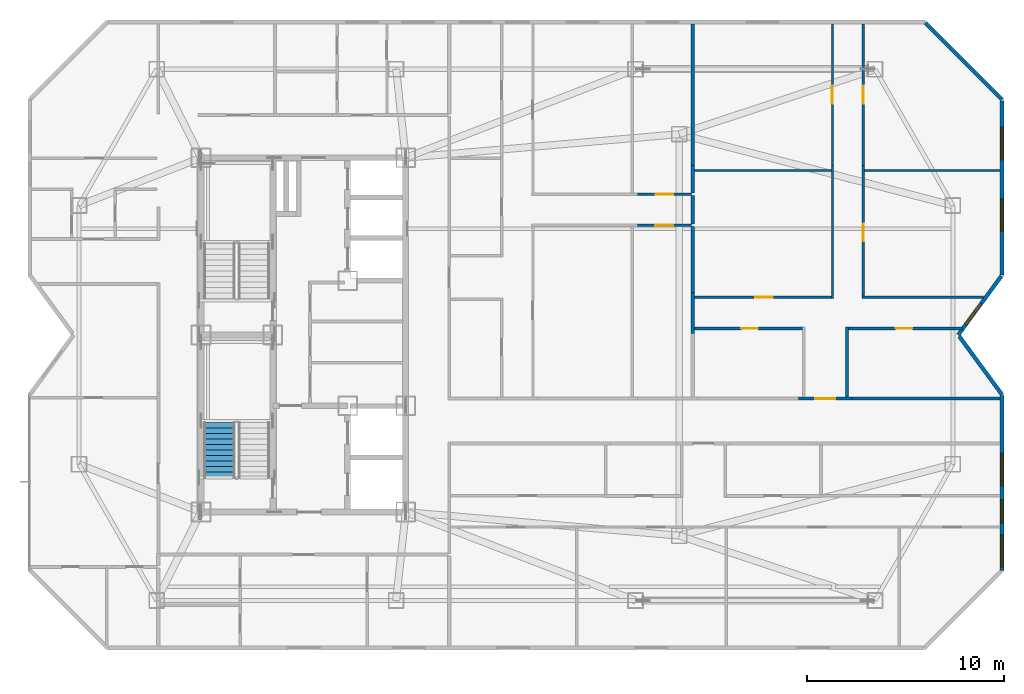
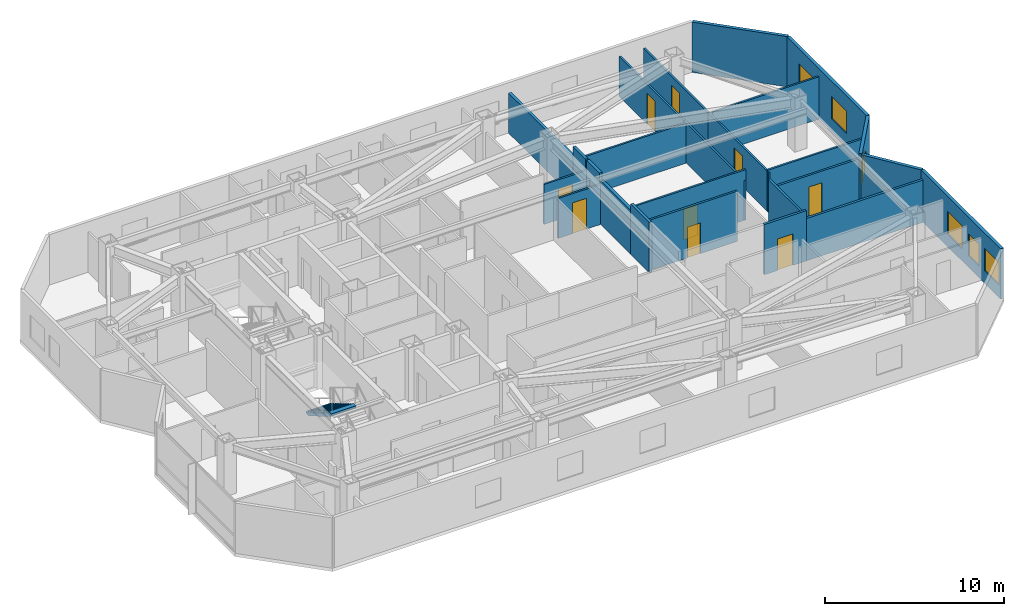
# One storey, part 12 of 14: 25 walls, 9 doors, 6 windows, 1 stair flight, 15 openings, 1 element without a shape of its own.
"""IFC4 building model written with IfcOpenShell, lengths in metres."""

from ifc_helpers import new_model, si_unit, direction, frame, frame_2d, origin, place, context, subcontext, project, spatial, polyline, rectangle, outline, extrude, material, layer, layer_set, type_object, element, fill, aggregate, save


model = new_model("IFC4")

# Units and contexts
model_context = context("Model", 3, precision=1e-05, world=origin(), true_north=direction((0.0, 1.0)))
body_context = subcontext(model_context, "Body", "Model", "MODEL_VIEW")
ifc_project = project(units=[si_unit("LENGTHUNIT", "METRE"), si_unit("AREAUNIT", "SQUARE_METRE"), si_unit("VOLUMEUNIT", "CUBIC_METRE"), si_unit("PLANEANGLEUNIT", "RADIAN"), si_unit("MASSUNIT", "GRAM", prefix="KILO")], contexts=[model_context])

# Site, building, storey
site_placement = place(None, origin())
site = spatial("IfcSite", under=ifc_project, at=site_placement, CompositionType="ELEMENT")
building_placement = place(site_placement, origin())
building = spatial("IfcBuilding", under=site, at=building_placement, Name="Khamvora Tower", CompositionType="ELEMENT")
storey_placement = place(building_placement, frame((0.0, 0.0, 253.699951171875)))
storey = spatial("IfcBuildingStorey", under=building, at=storey_placement, Name="L65", CompositionType="ELEMENT", Elevation=253.699951171875)

# Wall, opening, door
ifc_material_1 = material(Name="Fire-Rated Drywall and Steel Stud", Category="steel")
ifc_layer_1 = layer(ifc_material_1, 0.14990234375)
ifc_layer_set_1 = layer_set([ifc_layer_1], Name="Fire-Rated Drywall and Steel Stud")
wall_type_1 = type_object("IfcWallType", Name="WAL-CORR-150", PredefinedType="STANDARD", material=ifc_layer_set_1)
wall_1_placement = place(storey_placement, frame((59.37109375, 24.764892578125, 0.0), z_axis=(0.0, 0.0, 1.0), x_axis=(1.0, 0.0, 0.0)))
wall_1 = element("IfcWall", 1, at=wall_1_placement, inside=storey, type_object=wall_type_1, Name="L65 interior partition wall 036", PredefinedType="STANDARD", context=body_context, shape_type="SweptSolid", body=[
    extrude(rectangle(XDim=2.697998046875, YDim=0.14990234375, at=frame_2d((1.34912109375, 0.0))), origin(), (0.0, 0.0, 1.0), 3.429931640625),
])
opening_1_placement = place(wall_1_placement, frame((0.84912109375, 0.0, 0.0)))
opening_1 = element("IfcOpeningElement", 2, at=opening_1_placement, cuts=wall_1, Name="Opening D-U1", PredefinedType="OPENING", context=body_context, shape_type="SweptSolid", body=[
    extrude(rectangle(XDim=1.0, YDim=2.14990234375, at=frame_2d((0.5, 1.074951171875))), frame((0.0, 0.0849609375, 0.0), z_axis=(0.0, -1.0, 0.0), x_axis=(1.0, 0.0, 0.0)), (0.0, 0.0, 1.0), 0.169921875),
])
ifc_material_2 = material(Name="Powder-Coated Steel and Hardwood Leaf", Category="steel")
door_type_1 = type_object("IfcDoorType", Name="DOR-UNIT-1000", OperationType="NOTDEFINED", PredefinedType="DOOR", material=ifc_material_2)
door_1_placement = place(opening_1_placement, origin())
door_1 = element("IfcDoor", 3, at=door_1_placement, inside=storey, type_object=door_type_1, Name="L65 interior door COR-65ECH", OperationType="SINGLE_SWING_RIGHT", OverallHeight=2.14990234375, OverallWidth=1.0, PredefinedType="DOOR", context=body_context, shape_type="SweptSolid", body=[
    extrude(rectangle(XDim=1.0, YDim=2.14990234375, at=frame_2d((0.5, 1.074951171875))), frame((0.0, 0.02490234375, 0.0), z_axis=(0.0, -1.0, 0.0), x_axis=(1.0, 0.0, 0.0)), (0.0, 0.0, 1.0), 0.050048828125),
])
fill(opening_1, door_1)

# Walls
wall_2_placement = place(storey_placement, frame((62.069091796875, 24.764892578125, 0.0), z_axis=(0.0, 0.0, 1.0), x_axis=(1.0, 0.0, 0.0)))
element("IfcWall", 4, at=wall_2_placement, inside=storey, type_object=wall_type_1, Name="L65 interior partition wall 038", PredefinedType="STANDARD", context=body_context, shape_type="SweptSolid", body=[
    extrude(rectangle(XDim=7.538818359375, YDim=0.14990234375, at=frame_2d((3.76953125, 0.0))), origin(), (0.0, 0.0, 1.0), 2.886962890625),
])
ifc_material_3 = material(Name="Acoustic Double-Stud Fire Wall", Category="gypsum")
ifc_layer_2 = layer(ifc_material_3, 0.179931640625)
ifc_layer_set_2 = layer_set([ifc_layer_2], Name="Acoustic Double-Stud Fire Wall")
wall_type_2 = type_object("IfcWallType", Name="WAL-CORR-180", PredefinedType="STANDARD", material=ifc_layer_set_2)
wall_3_placement = place(storey_placement, frame((53.985107421875, 35.080078125, 0.0), z_axis=(0.0, 0.0, 1.0), x_axis=(0.0, -1.0, 0.0)))
element("IfcWall", 5, at=wall_3_placement, inside=storey, type_object=wall_type_2, Name="L65 interior partition wall 091", PredefinedType="STANDARD", context=body_context, shape_type="SweptSolid", body=[
    extrude(rectangle(XDim=1.440185546875, YDim=0.179931640625, at=frame_2d((0.72021484375, 0.0))), origin(), (0.0, 0.0, 1.0), 3.429931640625),
])
wall_4_placement = place(storey_placement, frame((53.985107421875, 30.155029296875, 0.0), z_axis=(0.0, 0.0, 1.0), x_axis=(0.0, -1.0, 0.0)))
element("IfcWall", 6, at=wall_4_placement, inside=storey, type_object=wall_type_2, Name="L65 interior partition wall 093", PredefinedType="STANDARD", context=body_context, shape_type="SweptSolid", body=[
    extrude(rectangle(XDim=2.078125, YDim=0.179931640625, at=frame_2d((1.0390625, 0.0))), origin(), (0.0, 0.0, 1.0), 3.429931640625),
])
wall_5_placement = place(storey_placement, frame((53.985107421875, 33.510009765625, 0.0), z_axis=(0.0, 0.0, 1.0), x_axis=(0.0, -1.0, 0.0)))
element("IfcWall", 7, at=wall_5_placement, inside=storey, type_object=wall_type_2, Name="L65 interior partition wall 095", PredefinedType="STANDARD", context=body_context, shape_type="SweptSolid", body=[
    extrude(rectangle(XDim=3.35498046875, YDim=0.179931640625, at=frame_2d((1.677490234375, 0.0))), origin(), (0.0, 0.0, 1.0), 3.012939453125),
])
wall_6_placement = place(storey_placement, frame((53.985107421875, 36.60400390625, 0.0), z_axis=(0.0, 0.0, 1.0), x_axis=(0.0, -1.0, 0.0)))
element("IfcWall", 8, at=wall_6_placement, inside=storey, type_object=wall_type_2, Name="L65 interior partition wall 097", PredefinedType="STANDARD", context=body_context, shape_type="SweptSolid", body=[
    extrude(rectangle(XDim=1.39404296875, YDim=0.179931640625, at=frame_2d((0.697021484375, 0.0))), origin(), (0.0, 0.0, 1.0), 3.429931640625),
])
wall_7_placement = place(storey_placement, frame((53.985107421875, 43.80810546875, 0.0), z_axis=(0.0, 0.0, 1.0), x_axis=(0.0, -1.0, 0.0)))
element("IfcWall", 9, at=wall_7_placement, inside=storey, type_object=wall_type_2, Name="L65 interior partition wall 098", PredefinedType="STANDARD", context=body_context, shape_type="SweptSolid", body=[
    extrude(rectangle(XDim=7.2041015625, YDim=0.179931640625, at=frame_2d((3.60205078125, 0.0))), origin(), (0.0, 0.0, 1.0), 2.72509765625),
])
ifc_material_4 = material(Name="Precast concrete C40/50", Category="concrete")
ifc_layer_3 = layer(ifc_material_4, 0.199951171875)
ifc_layer_set_3 = layer_set([ifc_layer_3], Name="Precast concrete C40/50")
wall_type_3 = type_object("IfcWallType", Name="WAL-EXT-200", PredefinedType="STANDARD", material=ifc_layer_set_3)
wall_8_placement = place(storey_placement, frame((65.802001953125, 43.85693359375, 0.0), z_axis=(0.0, 0.0, 1.0), x_axis=(0.707106781187, -0.707106781187, 0.0)))
element("IfcWall", 10, at=wall_8_placement, inside=storey, type_object=wall_type_3, Name="L65 exterior facade wall 08.1", PredefinedType="STANDARD", context=body_context, shape_type="SweptSolid", body=[
    extrude(rectangle(XDim=5.512451171875, YDim=0.199951171875, at=frame_2d((2.75634765625, 0.0))), origin(), (0.0, 0.0, 1.0), 3.429931640625),
])

# Wall, openings, windows
wall_9_placement = place(storey_placement, frame((69.699951171875, 39.89599609375, 0.0), z_axis=(0.0, 0.0, 1.0), x_axis=(0.0, -1.0, 0.0)))
wall_9 = element("IfcWall", 11, at=wall_9_placement, inside=storey, type_object=wall_type_3, Name="L65 exterior facade wall 09.1", PredefinedType="STANDARD", context=body_context, shape_type="SweptSolid", body=[
    extrude(rectangle(XDim=8.863037109375, YDim=0.199951171875, at=frame_2d((4.431640625, 0.0))), origin(), (0.0, 0.0, 1.0), 3.429931640625),
])
opening_2_placement = place(wall_9_placement, frame((4.985107421875, 0.0, 0.85009765625)))
opening_2 = element("IfcOpeningElement", 12, at=opening_2_placement, cuts=wall_9, Name="Opening WN-06", PredefinedType="OPENING", context=body_context, shape_type="SweptSolid", body=[
    extrude(rectangle(XDim=1.64990234375, YDim=1.550048828125, at=frame_2d((0.824951171875, 0.77490234375))), frame((0.0, 0.10986328125, 0.0), z_axis=(0.0, -1.0, 0.0), x_axis=(1.0, 0.0, 0.0)), (0.0, 0.0, 1.0), 0.219970703125),
])
opening_3_placement = place(wall_9_placement, frame((1.337890625, 0.0, 0.85009765625)))
opening_3 = element("IfcOpeningElement", 13, at=opening_3_placement, cuts=wall_9, Name="Opening WN-06", PredefinedType="OPENING", context=body_context, shape_type="SweptSolid", body=[
    extrude(rectangle(XDim=1.64990234375, YDim=1.550048828125, at=frame_2d((0.824951171875, 0.77490234375))), frame((0.0, 0.10986328125, 0.0), z_axis=(0.0, -1.0, 0.0), x_axis=(1.0, 0.0, 0.0)), (0.0, 0.0, 1.0), 0.219970703125),
])
ifc_material_5 = material(Name="Low-E Laminated Double Glazing", Category="glass")
window_type_1 = type_object("IfcWindowType", Name="WIN-VIS-1650x1550", PartitioningType="SINGLE_PANEL", PredefinedType="WINDOW", material=ifc_material_5)
window_1_placement = place(opening_2_placement, origin())
window_1 = element("IfcWindow", 14, at=window_1_placement, inside=storey, type_object=window_type_1, Name="L65 vision window 09.1.01", OverallHeight=1.550048828125, OverallWidth=1.64990234375, PartitioningType="SINGLE_PANEL", PredefinedType="WINDOW", context=body_context, shape_type="SweptSolid", body=[
    extrude(rectangle(XDim=1.64990234375, YDim=1.550048828125, at=frame_2d((0.824951171875, 0.77490234375))), frame((0.0, 0.030029296875, 0.0), z_axis=(0.0, -1.0, 0.0), x_axis=(1.0, 0.0, 0.0)), (0.0, 0.0, 1.0), 0.06005859375),
])
fill(opening_2, window_1)
window_2_placement = place(opening_3_placement, origin())
window_2 = element("IfcWindow", 15, at=window_2_placement, inside=storey, type_object=window_type_1, Name="L65 vision window 09.1.02", OverallHeight=1.550048828125, OverallWidth=1.64990234375, PartitioningType="SINGLE_PANEL", PredefinedType="WINDOW", context=body_context, shape_type="SweptSolid", body=[
    extrude(rectangle(XDim=1.64990234375, YDim=1.550048828125, at=frame_2d((0.824951171875, 0.77490234375))), frame((0.0, 0.030029296875, 0.0), z_axis=(0.0, -1.0, 0.0), x_axis=(1.0, 0.0, 0.0)), (0.0, 0.0, 1.0), 0.06005859375),
])
fill(opening_3, window_2)

# Wall, opening, window
wall_10_placement = place(storey_placement, frame((69.669921875, 30.991943359375, 0.0), z_axis=(0.0, 0.0, 1.0), x_axis=(-0.591320870733, -0.806436375566, 0.0)))
wall_10 = element("IfcWall", 16, at=wall_10_placement, inside=storey, type_object=wall_type_3, Name="L65 exterior facade wall 10.1", PredefinedType="STANDARD", context=body_context, shape_type="SweptSolid", body=[
    extrude(rectangle(XDim=3.7099609375, YDim=0.199951171875, at=frame_2d((1.85498046875, 0.0))), origin(), (0.0, 0.0, 1.0), 3.429931640625),
])
opening_4_placement = place(wall_10_placement, frame((1.722900390625, 0.0, 0.85009765625)))
opening_4 = element("IfcOpeningElement", 17, at=opening_4_placement, cuts=wall_10, Name="Opening WN-07", PredefinedType="OPENING", context=body_context, shape_type="SweptSolid", body=[
    extrude(rectangle(XDim=1.35009765625, YDim=1.5, at=frame_2d((0.675048828125, 0.75))), frame((0.0, 0.10986328125, 0.0), z_axis=(0.0, -1.0, 0.0), x_axis=(1.0, 0.0, 0.0)), (0.0, 0.0, 1.0), 0.219970703125),
])
window_type_2 = type_object("IfcWindowType", Name="WIN-VIS-1350x1500", PartitioningType="SINGLE_PANEL", PredefinedType="WINDOW", material=ifc_material_5)
window_3_placement = place(opening_4_placement, origin())
window_3 = element("IfcWindow", 18, at=window_3_placement, inside=storey, type_object=window_type_2, Name="L65 vision window 10.1.01", OverallHeight=1.5, OverallWidth=1.35009765625, PartitioningType="SINGLE_PANEL", PredefinedType="WINDOW", context=body_context, shape_type="SweptSolid", body=[
    extrude(rectangle(XDim=1.35009765625, YDim=1.5, at=frame_2d((0.675048828125, 0.75))), frame((0.0, 0.030029296875, 0.0), z_axis=(0.0, -1.0, 0.0), x_axis=(1.0, 0.0, 0.0)), (0.0, 0.0, 1.0), 0.06005859375),
])
fill(opening_4, window_3)

# Wall
wall_11_placement = place(storey_placement, frame((67.527099609375, 27.930908203125, 0.0), z_axis=(0.0, 0.0, 1.0), x_axis=(0.591248456881, -0.80648946815, 0.0)))
element("IfcWall", 19, at=wall_11_placement, inside=storey, type_object=wall_type_3, Name="L65 exterior facade wall 11.1", PredefinedType="STANDARD", context=body_context, shape_type="SweptSolid", body=[
    extrude(rectangle(XDim=3.675048828125, YDim=0.199951171875, at=frame_2d((1.83740234375, 0.0))), origin(), (0.0, 0.0, 1.0), 3.429931640625),
])

# Wall, openings, windows
wall_12_placement = place(storey_placement, frame((69.699951171875, 24.916015625, 0.0), z_axis=(0.0, 0.0, 1.0), x_axis=(0.0, -1.0, 0.0)))
wall_12 = element("IfcWall", 20, at=wall_12_placement, inside=storey, type_object=wall_type_3, Name="L65 exterior facade wall 12.1", PredefinedType="STANDARD", context=body_context, shape_type="SweptSolid", body=[
    extrude(rectangle(XDim=8.875, YDim=0.199951171875, at=frame_2d((4.4375, 0.0))), origin(), (0.0, 0.0, 1.0), 3.429931640625),
])
opening_5_placement = place(wall_12_placement, frame((2.93896484375, 0.0, 0.85009765625)))
opening_5 = element("IfcOpeningElement", 21, at=opening_5_placement, cuts=wall_12, Name="Opening WN-06", PredefinedType="OPENING", context=body_context, shape_type="SweptSolid", body=[
    extrude(rectangle(XDim=1.64990234375, YDim=1.550048828125, at=frame_2d((0.824951171875, 0.77490234375))), frame((0.0, 0.10986328125, 0.0), z_axis=(0.0, -1.0, 0.0), x_axis=(1.0, 0.0, 0.0)), (0.0, 0.0, 1.0), 0.219970703125),
])
opening_6_placement = place(wall_12_placement, frame((5.287109375, 0.0, 0.800048828125)))
opening_6 = element("IfcOpeningElement", 22, at=opening_6_placement, cuts=wall_12, Name="Opening WN-03", PredefinedType="OPENING", context=body_context, shape_type="SweptSolid", body=[
    extrude(rectangle(XDim=1.199951171875, YDim=1.5, at=frame_2d((0.60009765625, 0.75))), frame((0.0, 0.10986328125, 0.0), z_axis=(0.0, -1.0, 0.0), x_axis=(1.0, 0.0, 0.0)), (0.0, 0.0, 1.0), 0.219970703125),
])
opening_7_placement = place(wall_12_placement, frame((7.05908203125, 0.0, 0.85009765625)))
opening_7 = element("IfcOpeningElement", 23, at=opening_7_placement, cuts=wall_12, Name="Opening WN-06", PredefinedType="OPENING", context=body_context, shape_type="SweptSolid", body=[
    extrude(rectangle(XDim=1.64990234375, YDim=1.550048828125, at=frame_2d((0.824951171875, 0.77490234375))), frame((0.0, 0.10986328125, 0.0), z_axis=(0.0, -1.0, 0.0), x_axis=(1.0, 0.0, 0.0)), (0.0, 0.0, 1.0), 0.219970703125),
])
window_type_3 = type_object("IfcWindowType", Name="WIN-VIS-1200x1500", PartitioningType="SINGLE_PANEL", PredefinedType="WINDOW", material=ifc_material_5)
window_4_placement = place(opening_6_placement, origin())
window_4 = element("IfcWindow", 24, at=window_4_placement, inside=storey, type_object=window_type_3, Name="L65 vision window 12.1.02", OverallHeight=1.5, OverallWidth=1.199951171875, PartitioningType="SINGLE_PANEL", PredefinedType="WINDOW", context=body_context, shape_type="SweptSolid", body=[
    extrude(rectangle(XDim=1.199951171875, YDim=1.5, at=frame_2d((0.60009765625, 0.75))), frame((0.0, 0.030029296875, 0.0), z_axis=(0.0, -1.0, 0.0), x_axis=(1.0, 0.0, 0.0)), (0.0, 0.0, 1.0), 0.06005859375),
])
fill(opening_6, window_4)
window_5_placement = place(opening_5_placement, origin())
window_5 = element("IfcWindow", 25, at=window_5_placement, inside=storey, type_object=window_type_1, Name="L65 vision window 12.1.01", OverallHeight=1.550048828125, OverallWidth=1.64990234375, PartitioningType="SINGLE_PANEL", PredefinedType="WINDOW", context=body_context, shape_type="SweptSolid", body=[
    extrude(rectangle(XDim=1.64990234375, YDim=1.550048828125, at=frame_2d((0.824951171875, 0.77490234375))), frame((0.0, 0.030029296875, 0.0), z_axis=(0.0, -1.0, 0.0), x_axis=(1.0, 0.0, 0.0)), (0.0, 0.0, 1.0), 0.06005859375),
])
fill(opening_5, window_5)
window_6_placement = place(opening_7_placement, origin())
window_6 = element("IfcWindow", 26, at=window_6_placement, inside=storey, type_object=window_type_1, Name="L65 vision window 12.1.03", OverallHeight=1.550048828125, OverallWidth=1.64990234375, PartitioningType="SINGLE_PANEL", PredefinedType="WINDOW", context=body_context, shape_type="SweptSolid", body=[
    extrude(rectangle(XDim=1.64990234375, YDim=1.550048828125, at=frame_2d((0.824951171875, 0.77490234375))), frame((0.0, 0.030029296875, 0.0), z_axis=(0.0, -1.0, 0.0), x_axis=(1.0, 0.0, 0.0)), (0.0, 0.0, 1.0), 0.06005859375),
])
fill(opening_7, window_6)

# Wall, opening, door
ifc_material_6 = material(Name="Gypsum Plasterboard Partition", Category="gypsum")
ifc_layer_4 = layer(ifc_material_6, 0.1201171875)
ifc_layer_set_4 = layer_set([ifc_layer_4], Name="Gypsum Plasterboard Partition")
wall_type_4 = type_object("IfcWallType", Name="WAL-PART-120", PredefinedType="PARTITIONING", material=ifc_layer_set_4)
wall_13_placement = place(storey_placement, frame((53.919921875, 33.574951171875, 0.0), z_axis=(0.0, 0.0, 1.0), x_axis=(-1.0, 0.0, 0.0)))
wall_13 = element("IfcWall", 27, at=wall_13_placement, inside=storey, type_object=wall_type_4, Name="L65 interior partition wall 087", PredefinedType="PARTITIONING", context=body_context, shape_type="SweptSolid", body=[
    extrude(rectangle(XDim=2.7529296875, YDim=0.1201171875, at=frame_2d((1.37646484375, 0.0))), origin(), (0.0, 0.0, 1.0), 2.72509765625),
])
opening_8_placement = place(wall_13_placement, frame((0.927001953125, 0.0, 0.0)))
opening_8 = element("IfcOpeningElement", 28, at=opening_8_placement, cuts=wall_13, Name="Opening D-RM1", PredefinedType="OPENING", context=body_context, shape_type="SweptSolid", body=[
    extrude(rectangle(XDim=0.89990234375, YDim=2.10009765625, at=frame_2d((0.449951171875, 1.050048828125))), frame((0.0, 0.070068359375, 0.0), z_axis=(0.0, -1.0, 0.0), x_axis=(1.0, 0.0, 0.0)), (0.0, 0.0, 1.0), 0.14013671875),
])
door_type_2 = type_object("IfcDoorType", Name="DOR-ROOM-900", OperationType="NOTDEFINED", PredefinedType="DOOR", material=ifc_material_2)
door_2_placement = place(opening_8_placement, origin())
door_2 = element("IfcDoor", 29, at=door_2_placement, inside=storey, type_object=door_type_2, Name="L65 interior door 65EBH-65EBR2", OperationType="SINGLE_SWING_RIGHT", OverallHeight=2.10009765625, OverallWidth=0.89990234375, PredefinedType="DOOR", context=body_context, shape_type="SweptSolid", body=[
    extrude(rectangle(XDim=0.89990234375, YDim=2.10009765625, at=frame_2d((0.449951171875, 1.050048828125))), frame((0.0, 0.02490234375, 0.0), z_axis=(0.0, -1.0, 0.0), x_axis=(1.0, 0.0, 0.0)), (0.0, 0.0, 1.0), 0.050048828125),
])
fill(opening_8, door_2)

wall_14_placement = place(storey_placement, frame((51.1669921875, 35.14501953125, 0.0), z_axis=(0.0, 0.0, 1.0), x_axis=(1.0, 0.0, 0.0)))
wall_14 = element("IfcWall", 30, at=wall_14_placement, inside=storey, type_object=wall_type_4, Name="L65 interior partition wall 090", PredefinedType="PARTITIONING", context=body_context, shape_type="SweptSolid", body=[
    extrude(rectangle(XDim=2.7529296875, YDim=0.1201171875, at=frame_2d((1.37646484375, 0.0))), origin(), (0.0, 0.0, 1.0), 2.72509765625),
])
opening_9_placement = place(wall_14_placement, frame((0.927001953125, 0.0, 0.0)))
opening_9 = element("IfcOpeningElement", 31, at=opening_9_placement, cuts=wall_14, Name="Opening D-RM1", PredefinedType="OPENING", context=body_context, shape_type="SweptSolid", body=[
    extrude(rectangle(XDim=0.89990234375, YDim=2.10009765625, at=frame_2d((0.449951171875, 1.050048828125))), frame((0.0, 0.070068359375, 0.0), z_axis=(0.0, -1.0, 0.0), x_axis=(1.0, 0.0, 0.0)), (0.0, 0.0, 1.0), 0.14013671875),
])
door_3_placement = place(opening_9_placement, origin())
door_3 = element("IfcDoor", 32, at=door_3_placement, inside=storey, type_object=door_type_2, Name="L65 interior door 65EBH-65EBR4", OperationType="SINGLE_SWING_RIGHT", OverallHeight=2.10009765625, OverallWidth=0.89990234375, PredefinedType="DOOR", context=body_context, shape_type="SweptSolid", body=[
    extrude(rectangle(XDim=0.89990234375, YDim=2.10009765625, at=frame_2d((0.449951171875, 1.050048828125))), frame((0.0, 0.02490234375, 0.0), z_axis=(0.0, -1.0, 0.0), x_axis=(1.0, 0.0, 0.0)), (0.0, 0.0, 1.0), 0.050048828125),
])
fill(opening_9, door_3)

wall_15_placement = place(storey_placement, frame((54.06689453125, 29.906005859375, 0.0), z_axis=(0.0, 0.0, 1.0), x_axis=(1.0, 0.0, 0.0)))
wall_15 = element("IfcWall", 33, at=wall_15_placement, inside=storey, type_object=wall_type_4, Name="L65 interior partition wall 103", PredefinedType="PARTITIONING", context=body_context, shape_type="SweptSolid", body=[
    extrude(rectangle(XDim=7.0830078125, YDim=0.1201171875, at=frame_2d((3.54150390625, 0.0))), origin(), (0.0, 0.0, 1.0), 3.429931640625),
])
opening_10_placement = place(wall_15_placement, frame((3.091064453125, 0.0, 0.0)))
opening_10 = element("IfcOpeningElement", 34, at=opening_10_placement, cuts=wall_15, Name="Opening D-RM1", PredefinedType="OPENING", context=body_context, shape_type="SweptSolid", body=[
    extrude(rectangle(XDim=0.89990234375, YDim=2.10009765625, at=frame_2d((0.449951171875, 1.050048828125))), frame((0.0, 0.070068359375, 0.0), z_axis=(0.0, -1.0, 0.0), x_axis=(1.0, 0.0, 0.0)), (0.0, 0.0, 1.0), 0.14013671875),
])
door_4_placement = place(opening_10_placement, origin())
door_4 = element("IfcDoor", 35, at=door_4_placement, inside=storey, type_object=door_type_2, Name="L65 interior door 65ECH-65ECR1", OperationType="SINGLE_SWING_LEFT", OverallHeight=2.10009765625, OverallWidth=0.89990234375, PredefinedType="DOOR", context=body_context, shape_type="SweptSolid", body=[
    extrude(rectangle(XDim=0.89990234375, YDim=2.10009765625, at=frame_2d((0.449951171875, 1.050048828125))), frame((0.0, 0.02490234375, 0.0), z_axis=(0.0, -1.0, 0.0), x_axis=(1.0, 0.0, 0.0)), (0.0, 0.0, 1.0), 0.050048828125),
])
fill(opening_10, door_4)

# Wall
wall_16_placement = place(storey_placement, frame((61.0849609375, 29.841064453125, 0.0), z_axis=(0.0, 0.0, 1.0), x_axis=(0.0, 1.0, 0.0)))
element("IfcWall", 36, at=wall_16_placement, inside=storey, type_object=wall_type_4, Name="L65 interior partition wall 104", PredefinedType="PARTITIONING", context=body_context, shape_type="SweptSolid", body=[
    extrude(rectangle(XDim=6.762939453125, YDim=0.1201171875, at=frame_2d((3.38134765625, 0.0))), origin(), (0.0, 0.0, 1.0), 2.72509765625),
])

# Wall, opening, door
wall_17_placement = place(storey_placement, frame((61.0849609375, 36.60400390625, 0.0), z_axis=(0.0, 0.0, 1.0), x_axis=(0.0, 1.0, 0.0)))
wall_17 = element("IfcWall", 37, at=wall_17_placement, inside=storey, type_object=wall_type_4, Name="L65 interior partition wall 105", PredefinedType="PARTITIONING", context=body_context, shape_type="SweptSolid", body=[
    extrude(rectangle(XDim=7.2041015625, YDim=0.1201171875, at=frame_2d((3.60205078125, 0.0))), origin(), (0.0, 0.0, 1.0), 2.72509765625),
])
opening_11_placement = place(wall_17_placement, frame((3.152099609375, 0.0, 0.0)))
opening_11 = element("IfcOpeningElement", 38, at=opening_11_placement, cuts=wall_17, Name="Opening D-RM1", PredefinedType="OPENING", context=body_context, shape_type="SweptSolid", body=[
    extrude(rectangle(XDim=0.89990234375, YDim=2.10009765625, at=frame_2d((0.449951171875, 1.050048828125))), frame((0.0, 0.070068359375, 0.0), z_axis=(0.0, -1.0, 0.0), x_axis=(1.0, 0.0, 0.0)), (0.0, 0.0, 1.0), 0.14013671875),
])
door_5_placement = place(opening_11_placement, origin())
door_5 = element("IfcDoor", 39, at=door_5_placement, inside=storey, type_object=door_type_2, Name="L65 interior door 65ECH-65ECR2", OperationType="SINGLE_SWING_RIGHT", OverallHeight=2.10009765625, OverallWidth=0.89990234375, PredefinedType="DOOR", context=body_context, shape_type="SweptSolid", body=[
    extrude(rectangle(XDim=0.89990234375, YDim=2.10009765625, at=frame_2d((0.449951171875, 1.050048828125))), frame((0.0, 0.02490234375, 0.0), z_axis=(0.0, -1.0, 0.0), x_axis=(1.0, 0.0, 0.0)), (0.0, 0.0, 1.0), 0.050048828125),
])
fill(opening_11, door_5)

wall_18_placement = place(storey_placement, frame((62.655029296875, 36.60400390625, 0.0), z_axis=(0.0, 0.0, 1.0), x_axis=(0.0, -1.0, 0.0)))
wall_18 = element("IfcWall", 40, at=wall_18_placement, inside=storey, type_object=wall_type_4, Name="L65 interior partition wall 106", PredefinedType="PARTITIONING", context=body_context, shape_type="SweptSolid", body=[
    extrude(rectangle(XDim=6.762939453125, YDim=0.1201171875, at=frame_2d((3.38134765625, 0.0))), origin(), (0.0, 0.0, 1.0), 2.72509765625),
])
opening_12_placement = place(wall_18_placement, frame((2.951904296875, 0.0, 0.0)))
opening_12 = element("IfcOpeningElement", 41, at=opening_12_placement, cuts=wall_18, Name="Opening D-RM1", PredefinedType="OPENING", context=body_context, shape_type="SweptSolid", body=[
    extrude(rectangle(XDim=0.89990234375, YDim=2.10009765625, at=frame_2d((0.449951171875, 1.050048828125))), frame((0.0, 0.070068359375, 0.0), z_axis=(0.0, -1.0, 0.0), x_axis=(1.0, 0.0, 0.0)), (0.0, 0.0, 1.0), 0.14013671875),
])
door_6_placement = place(opening_12_placement, origin())
door_6 = element("IfcDoor", 42, at=door_6_placement, inside=storey, type_object=door_type_2, Name="L65 interior door 65ECH-65ECR3", OperationType="SINGLE_SWING_LEFT", OverallHeight=2.10009765625, OverallWidth=0.89990234375, PredefinedType="DOOR", context=body_context, shape_type="SweptSolid", body=[
    extrude(rectangle(XDim=0.89990234375, YDim=2.10009765625, at=frame_2d((0.449951171875, 1.050048828125))), frame((0.0, 0.02490234375, 0.0), z_axis=(0.0, -1.0, 0.0), x_axis=(1.0, 0.0, 0.0)), (0.0, 0.0, 1.0), 0.050048828125),
])
fill(opening_12, door_6)

# Wall
wall_19_placement = place(storey_placement, frame((62.590087890625, 29.906005859375, 0.0), z_axis=(0.0, 0.0, 1.0), x_axis=(1.0, 0.0, 0.0)))
element("IfcWall", 43, at=wall_19_placement, inside=storey, type_object=wall_type_4, Name="L65 interior partition wall 107", PredefinedType="PARTITIONING", context=body_context, shape_type="SweptSolid", body=[
    extrude(rectangle(XDim=6.179931640625, YDim=0.1201171875, at=frame_2d((3.08984375, 0.0))), origin(), (0.0, 0.0, 1.0), 2.886962890625),
])

# Wall, opening, door
wall_20_placement = place(storey_placement, frame((62.655029296875, 43.80810546875, 0.0), z_axis=(0.0, 0.0, 1.0), x_axis=(0.0, -1.0, 0.0)))
wall_20 = element("IfcWall", 44, at=wall_20_placement, inside=storey, type_object=wall_type_4, Name="L65 interior partition wall 108", PredefinedType="PARTITIONING", context=body_context, shape_type="SweptSolid", body=[
    extrude(rectangle(XDim=7.2041015625, YDim=0.1201171875, at=frame_2d((3.60205078125, 0.0))), origin(), (0.0, 0.0, 1.0), 2.72509765625),
])
opening_13_placement = place(wall_20_placement, frame((3.152099609375, 0.0, 0.0)))
opening_13 = element("IfcOpeningElement", 45, at=opening_13_placement, cuts=wall_20, Name="Opening D-RM1", PredefinedType="OPENING", context=body_context, shape_type="SweptSolid", body=[
    extrude(rectangle(XDim=0.89990234375, YDim=2.10009765625, at=frame_2d((0.449951171875, 1.050048828125))), frame((0.0, 0.070068359375, 0.0), z_axis=(0.0, -1.0, 0.0), x_axis=(1.0, 0.0, 0.0)), (0.0, 0.0, 1.0), 0.14013671875),
])
door_7_placement = place(opening_13_placement, origin())
door_7 = element("IfcDoor", 46, at=door_7_placement, inside=storey, type_object=door_type_2, Name="L65 interior door 65ECH-65ECR4", OperationType="SINGLE_SWING_RIGHT", OverallHeight=2.10009765625, OverallWidth=0.89990234375, PredefinedType="DOOR", context=body_context, shape_type="SweptSolid", body=[
    extrude(rectangle(XDim=0.89990234375, YDim=2.10009765625, at=frame_2d((0.449951171875, 1.050048828125))), frame((0.0, 0.02490234375, 0.0), z_axis=(0.0, -1.0, 0.0), x_axis=(1.0, 0.0, 0.0)), (0.0, 0.0, 1.0), 0.050048828125),
])
fill(opening_13, door_7)

# Walls
wall_21_placement = place(storey_placement, frame((54.06689453125, 36.35498046875, 0.0), z_axis=(0.0, 0.0, 1.0), x_axis=(1.0, 0.0, 0.0)))
element("IfcWall", 47, at=wall_21_placement, inside=storey, type_object=wall_type_4, Name="L65 interior partition wall 109", PredefinedType="PARTITIONING", context=body_context, shape_type="SweptSolid", body=[
    extrude(rectangle(XDim=6.964111328125, YDim=0.1201171875, at=frame_2d((3.48193359375, 0.0))), origin(), (0.0, 0.0, 1.0), 2.72509765625),
])
wall_22_placement = place(storey_placement, frame((62.708984375, 36.35498046875, 0.0), z_axis=(0.0, 0.0, 1.0), x_axis=(1.0, 0.0, 0.0)))
element("IfcWall", 48, at=wall_22_placement, inside=storey, type_object=wall_type_4, Name="L65 interior partition wall 110", PredefinedType="PARTITIONING", context=body_context, shape_type="SweptSolid", body=[
    extrude(rectangle(XDim=6.89892578125, YDim=0.1201171875, at=frame_2d((3.449462890625, 0.0))), origin(), (0.0, 0.0, 1.0), 2.886962890625),
])

# Wall, opening, door
ifc_material_7 = material(Name="Moisture-Resistant Plasterboard Partition", Category="gypsum")
ifc_layer_5 = layer(ifc_material_7, 0.135009765625)
ifc_layer_set_5 = layer_set([ifc_layer_5], Name="Moisture-Resistant Plasterboard Partition")
wall_type_5 = type_object("IfcWallType", Name="WAL-WET-135", PredefinedType="PARTITIONING", material=ifc_layer_set_5)
wall_23_placement = place(storey_placement, frame((59.68505859375, 28.325927734375, 0.0), z_axis=(0.0, 0.0, 1.0), x_axis=(-1.0, 0.0, 0.0)))
wall_23 = element("IfcWall", 49, at=wall_23_placement, inside=storey, type_object=wall_type_5, Name="L65 interior partition wall 100", PredefinedType="PARTITIONING", context=body_context, shape_type="SweptSolid", body=[
    extrude(rectangle(XDim=5.6181640625, YDim=0.135009765625, at=frame_2d((2.80908203125, 0.0))), origin(), (0.0, 0.0, 1.0), 3.429931640625),
])
opening_14_placement = place(wall_23_placement, frame((2.384033203125, 0.0, 0.0)))
opening_14 = element("IfcOpeningElement", 50, at=opening_14_placement, cuts=wall_23, Name="Opening D-WC1", PredefinedType="OPENING", context=body_context, shape_type="SweptSolid", body=[
    extrude(rectangle(XDim=0.85009765625, YDim=2.10009765625, at=frame_2d((0.425048828125, 1.050048828125))), frame((0.0, 0.077392578125, 0.0), z_axis=(0.0, -1.0, 0.0), x_axis=(1.0, 0.0, 0.0)), (0.0, 0.0, 1.0), 0.155029296875),
])
door_type_3 = type_object("IfcDoorType", Name="DOR-WET-850", OperationType="NOTDEFINED", PredefinedType="DOOR", material=ifc_material_2)
door_8_placement = place(opening_14_placement, origin())
door_8 = element("IfcDoor", 51, at=door_8_placement, inside=storey, type_object=door_type_3, Name="L65 interior door 65ECH-65ECB", OperationType="SINGLE_SWING_LEFT", OverallHeight=2.10009765625, OverallWidth=0.85009765625, PredefinedType="DOOR", context=body_context, shape_type="SweptSolid", body=[
    extrude(rectangle(XDim=0.85009765625, YDim=2.10009765625, at=frame_2d((0.425048828125, 1.050048828125))), frame((0.0, 0.02490234375, 0.0), z_axis=(0.0, -1.0, 0.0), x_axis=(1.0, 0.0, 0.0)), (0.0, 0.0, 1.0), 0.050048828125),
])
fill(opening_14, door_8)

wall_24_placement = place(storey_placement, frame((67.68603515625, 28.325927734375, 0.0), z_axis=(0.0, 0.0, 1.0), x_axis=(-1.0, 0.0, 0.0)))
wall_24 = element("IfcWall", 52, at=wall_24_placement, inside=storey, type_object=wall_type_5, Name="L65 interior partition wall 101", PredefinedType="PARTITIONING", context=body_context, shape_type="SweptSolid", body=[
    extrude(rectangle(XDim=5.93115234375, YDim=0.135009765625, at=frame_2d((2.965576171875, 0.0))), origin(), (0.0, 0.0, 1.0), 2.886962890625),
])
opening_15_placement = place(wall_24_placement, frame((2.541015625, 0.0, 0.0)))
opening_15 = element("IfcOpeningElement", 53, at=opening_15_placement, cuts=wall_24, Name="Opening D-RM2", PredefinedType="OPENING", context=body_context, shape_type="SweptSolid", body=[
    extrude(rectangle(XDim=0.85009765625, YDim=2.10009765625, at=frame_2d((0.425048828125, 1.050048828125))), frame((0.0, 0.077392578125, 0.0), z_axis=(0.0, -1.0, 0.0), x_axis=(1.0, 0.0, 0.0)), (0.0, 0.0, 1.0), 0.155029296875),
])
door_type_4 = type_object("IfcDoorType", Name="DOR-ROOM-850", OperationType="NOTDEFINED", PredefinedType="DOOR", material=ifc_material_2)
door_9_placement = place(opening_15_placement, origin())
door_9 = element("IfcDoor", 54, at=door_9_placement, inside=storey, type_object=door_type_4, Name="L65 interior door 65ECH-65ECK", OperationType="SINGLE_SWING_RIGHT", OverallHeight=2.10009765625, OverallWidth=0.85009765625, PredefinedType="DOOR", context=body_context, shape_type="SweptSolid", body=[
    extrude(rectangle(XDim=0.85009765625, YDim=2.10009765625, at=frame_2d((0.425048828125, 1.050048828125))), frame((0.0, 0.02490234375, 0.0), z_axis=(0.0, -1.0, 0.0), x_axis=(1.0, 0.0, 0.0)), (0.0, 0.0, 1.0), 0.050048828125),
])
fill(opening_15, door_9)

# Wall
wall_25_placement = place(storey_placement, frame((61.820068359375, 28.39111328125, 0.0), z_axis=(0.0, 0.0, 1.0), x_axis=(0.0, -1.0, 0.0)))
element("IfcWall", 55, at=wall_25_placement, inside=storey, type_object=wall_type_5, Name="L65 interior partition wall 102", PredefinedType="PARTITIONING", context=body_context, shape_type="SweptSolid", body=[
    extrude(rectangle(XDim=3.55908203125, YDim=0.135009765625, at=frame_2d((1.779541015625, 0.0))), origin(), (0.0, 0.0, 1.0), 3.429931640625),
])

# Stair, stair flight
ifc_material_8 = material(Name="Concrete C40/50", Category="concrete")
stair_type = type_object("IfcStairType", Name="STR-ST-01", PredefinedType="HALF_TURN_STAIR", material=ifc_material_8)
stair_placement = place(storey_placement, origin())
stair = element("IfcStair", 56, at=stair_placement, inside=storey, type_object=stair_type, Name="L65 South Tower Exit Stair ST-01", PredefinedType="HALF_TURN_STAIR")
stair_flight_type = type_object("IfcStairFlightType", Name="STF-ST-01", PredefinedType="STRAIGHT", material=ifc_material_8)
stair_flight_placement = place(storey_placement, frame((29.949951171875, 23.550048828125, 1.824951171875), z_axis=(0.0, 0.0, 1.0), x_axis=(0.0, -1.0, 0.0)))
stair_flight = element("IfcStairFlight", 57, at=stair_flight_placement, type_object=stair_flight_type, Name="ST-01 flight 2", NumberOfRisers=11, NumberOfTreads=10, PredefinedType="STRAIGHT", RiserHeight=0.165909091, TreadLength=0.28, context=body_context, shape_type="SweptSolid", body=[
    extrude(outline(polyline([(0.0, 0.0), (0.0, 0.166015625), (0.280029296875, 0.166015625), (0.280029296875, 0.331787109375), (0.56005859375, 0.331787109375), (0.56005859375, 0.497802734375), (0.840087890625, 0.497802734375), (0.840087890625, 0.66357421875), (1.1201171875, 0.66357421875), (1.1201171875, 0.82958984375), (1.39990234375, 0.82958984375), (1.39990234375, 0.995361328125), (1.679931640625, 0.995361328125), (1.679931640625, 1.161376953125), (1.9599609375, 1.161376953125), (1.9599609375, 1.327392578125), (2.239990234375, 1.327392578125), (2.239990234375, 1.4931640625), (2.52001953125, 1.4931640625), (2.52001953125, 1.6591796875), (2.800048828125, 1.6591796875), (2.800048828125, 1.824951171875), (2.800048828125, 1.48486328125), (0.2939453125, 0.0), (0.0, 0.0)])), frame((0.0, 0.800048828125, 0.0), z_axis=(0.0, -1.0, 0.0), x_axis=(1.0, 0.0, 0.0)), (0.0, 0.0, 1.0), 1.60009765625),
])
aggregate(stair, [stair_flight])

save(model, "model.ifc")
